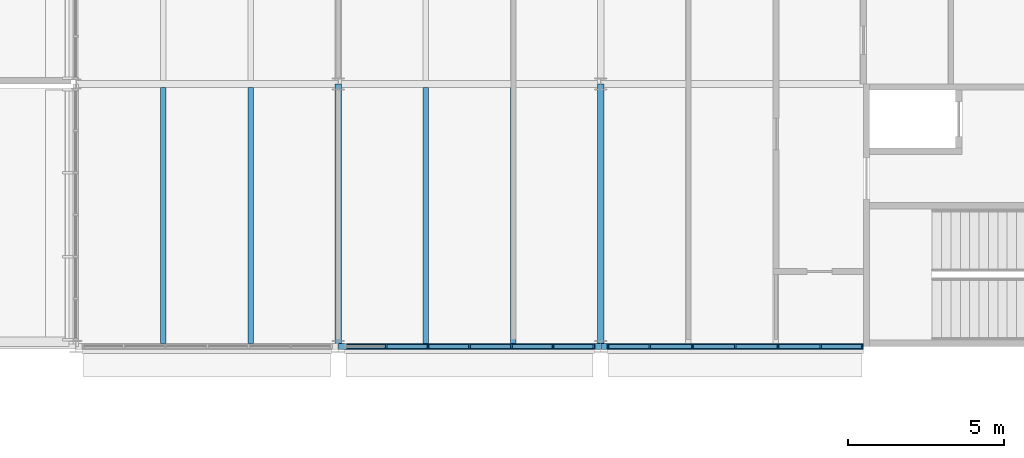
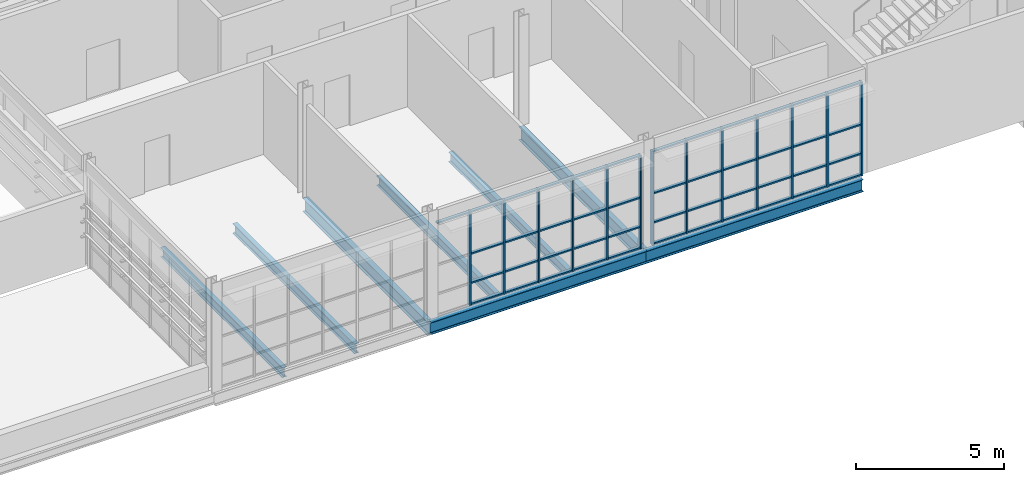
# One storey, part 10 of 29: 58 members, 8 beams, 2 elements without a shape of their own.
"""IFC4 building model written with IfcOpenShell, lengths in metres."""

from ifc_helpers import new_model, si_unit, direction, frame, origin, origin_2d, place, context, subcontext, project, spatial, rectangle, i_section, extrude, material, layer, layer_set, material_profile, profile_set, type_object, element, aggregate, save


model = new_model("IFC4")

# Units and contexts
model_context = context("Model", 3, precision=1e-05, world=origin(), true_north=direction((0.0, 1.0)))
body_context = subcontext(model_context, "Body", "Model", "MODEL_VIEW")
ifc_project = project(units=[si_unit("LENGTHUNIT", "METRE"), si_unit("AREAUNIT", "SQUARE_METRE"), si_unit("VOLUMEUNIT", "CUBIC_METRE"), si_unit("PLANEANGLEUNIT", "RADIAN"), si_unit("MASSUNIT", "GRAM", prefix="KILO")], contexts=[model_context])

# Site, building, storey
site_placement = place(None, origin())
site = spatial("IfcSite", under=ifc_project, at=site_placement, CompositionType="ELEMENT")
building_placement = place(site_placement, origin())
building = spatial("IfcBuilding", under=site, at=building_placement, Name="Ardhachandra Cancer Care Centre", CompositionType="ELEMENT")
storey_placement = place(building_placement, frame((0.0, 0.0, 13.5)))
storey = spatial("IfcBuildingStorey", under=building, at=storey_placement, Name="L03", CompositionType="ELEMENT", Elevation=13.5)

# Beams
ifc_material_1 = material(Name="Steel E350 (IS 2062)", Category="steel")
ifc_material_profile_1 = material_profile(ifc_material_1, i_section(OverallWidth=0.179931640625, OverallDepth=0.39990234375, WebThickness=0.008544921875, FlangeThickness=0.013427734375, FilletRadius=0.02099609375, at=origin_2d()), Name="NPB 400x180x66.30")
ifc_profile_set_1 = profile_set([ifc_material_profile_1], Name="Steel E350 (IS 2062)")
beam_type_1 = type_object("IfcBeamType", Name="Beam NPB 400x180x66.30", PredefinedType="BEAM", material=ifc_profile_set_1)
for number, where, z_axis, x_axis, name in (
    (1, (114.39990234375, 79.89990234375, -0.35009765625), (0.0, 1.0, 0.0), (-1.0, 0.0, 0.0), "Secondary J13-K13@2800"),
    (2, (117.199951171875, 79.89990234375, -0.35009765625), (0.0, 1.0, 0.0), (-1.0, 0.0, 0.0), "Secondary J13-K13@5600"),
    (3, (122.800048828125, 79.89990234375, -0.35009765625), (0.0, 1.0, 0.0), (-1.0, 0.0, 0.0), "Secondary J14-K14@2800"),
    (4, (125.60009765625, 79.89990234375, -0.35009765625), (0.0, 1.0, 0.0), (-1.0, 0.0, 0.0), "Secondary J14-K14@5600"),
):
    element("IfcBeam", number, at=place(storey_placement, frame(where, z_axis=z_axis, x_axis=x_axis)), inside=storey, type_object=beam_type_1, Name=name, PredefinedType="BEAM", context=body_context, shape_type="SweptSolid", body=[
        extrude(i_section(OverallWidth=0.179931640625, OverallDepth=0.39990234375, WebThickness=0.008544921875, FlangeThickness=0.013427734375, FilletRadius=0.02099609375, at=origin_2d()), origin(), (0.0, 0.0, 1.0), 8.195068359375),
    ])
ifc_material_2 = material(Name="Steel E350 (IS 2062)", Category="steel")
ifc_material_profile_2 = material_profile(ifc_material_2, i_section(OverallWidth=0.199951171875, OverallDepth=0.5, WebThickness=0.01025390625, FlangeThickness=0.01611328125, FilletRadius=0.02099609375, at=origin_2d()), Name="NPB 500x200x90.68")
ifc_profile_set_2 = profile_set([ifc_material_profile_2], Name="Steel E350 (IS 2062)")
beam_type_2 = type_object("IfcBeamType", Name="Beam NPB 500x200x90.68", PredefinedType="BEAM", material=ifc_profile_set_2)
beam_1_placement = place(storey_placement, frame((120.0, 79.800048828125, -0.39990234375), z_axis=(1.0, 0.0, 0.0), x_axis=(0.0, 1.0, 0.0)))
element("IfcBeam", 5, at=beam_1_placement, inside=storey, type_object=beam_type_2, Name="Edge girder J14-J15", PredefinedType="BEAM", context=body_context, shape_type="SweptSolid", body=[
    extrude(i_section(OverallWidth=0.199951171875, OverallDepth=0.5, WebThickness=0.01025390625, FlangeThickness=0.01611328125, FilletRadius=0.02099609375, at=origin_2d()), origin(), (0.0, 0.0, 1.0), 8.39990234375),
])
beam_2_placement = place(storey_placement, frame((128.39990234375, 79.800048828125, -0.39990234375), z_axis=(1.0, 0.0, 0.0), x_axis=(0.0, 1.0, 0.0)))
element("IfcBeam", 6, at=beam_2_placement, inside=storey, type_object=beam_type_2, Name="Edge girder J15-J16", PredefinedType="BEAM", context=body_context, shape_type="SweptSolid", body=[
    extrude(i_section(OverallWidth=0.199951171875, OverallDepth=0.5, WebThickness=0.01025390625, FlangeThickness=0.01611328125, FilletRadius=0.02099609375, at=origin_2d()), origin(), (0.0, 0.0, 1.0), 8.400146484375),
])
ifc_material_3 = material(Name="Steel E350 (IS 2062)", Category="steel")
ifc_material_profile_3 = material_profile(ifc_material_3, i_section(OverallWidth=0.2099609375, OverallDepth=0.550048828125, WebThickness=0.010986328125, FlangeThickness=0.01708984375, FilletRadius=0.02392578125, at=origin_2d()), Name="NPB 550x210x105.52")
ifc_profile_set_3 = profile_set([ifc_material_profile_3], Name="Steel E350 (IS 2062)")
beam_type_3 = type_object("IfcBeamType", Name="Beam NPB 550x210x105.52", PredefinedType="BEAM", material=ifc_profile_set_3)
for number, where, z_axis, x_axis, name in (
    (7, (120.0, 79.800048828125, -0.425048828125), (0.0, 1.0, 0.0), (-1.0, 0.0, 0.0), "Girder J14-K14"),
    (8, (128.39990234375, 79.800048828125, -0.425048828125), (0.0, 1.0, 0.0), (-1.0, 0.0, 0.0), "Girder J15-K15"),
):
    element("IfcBeam", number, at=place(storey_placement, frame(where, z_axis=z_axis, x_axis=x_axis)), inside=storey, type_object=beam_type_3, Name=name, PredefinedType="BEAM", context=body_context, shape_type="SweptSolid", body=[
        extrude(i_section(OverallWidth=0.2099609375, OverallDepth=0.550048828125, WebThickness=0.010986328125, FlangeThickness=0.01708984375, FilletRadius=0.02392578125, at=origin_2d()), origin(), (0.0, 0.0, 1.0), 8.39990234375),
    ])

# Curtain wall, members
ifc_material_4 = material(Name="Aluminium extrusion", Category="aluminium")
ifc_layer = layer(ifc_material_4, 0.14990234375)
ifc_layer_set = layer_set([ifc_layer], Name="Aluminium extrusion")
curtain_wall_type = type_object("IfcCurtainWallType", Name="Curtain wall run", PredefinedType="NOTDEFINED", material=ifc_layer_set)
curtain_wall_1_placement = place(storey_placement, origin())
curtain_wall_1 = element("IfcCurtainWall", 9, at=curtain_wall_1_placement, inside=storey, type_object=curtain_wall_type, Name="Curtain wall L03 s/0120000_0079800", PredefinedType="NOTDEFINED")
ifc_material_5 = material(Name="Aluminium extrusion", Category="aluminium")
ifc_material_profile_4 = material_profile(ifc_material_5, rectangle(XDim=0.159912109375, YDim=0.06005859375, at=origin_2d()), Name="Curtain wall mullion 60 x 160")
ifc_profile_set_4 = profile_set([ifc_material_profile_4], Name="Aluminium extrusion")
member_type_1 = type_object("IfcMemberType", Name="Curtain wall mullion 60 x 160", PredefinedType="MULLION", material=ifc_profile_set_4)
member_1_placement = place(storey_placement, frame((121.53173828125, 79.800048828125, 0.0), z_axis=(0.0, 0.0, 1.0), x_axis=(0.0, 1.0, 0.0)))
member_1 = element("IfcMember", 10, at=member_1_placement, type_object=member_type_1, Name="CW mullion 2", PredefinedType="MULLION", context=body_context, shape_type="SweptSolid", body=[
    extrude(rectangle(XDim=0.159912109375, YDim=0.06005859375, at=origin_2d()), origin(), (0.0, 0.0, 1.0), 3.85009765625),
])
member_2_placement = place(storey_placement, frame((122.86572265625, 79.800048828125, 0.0), z_axis=(0.0, 0.0, 1.0), x_axis=(0.0, 1.0, 0.0)))
member_2 = element("IfcMember", 11, at=member_2_placement, type_object=member_type_1, Name="CW mullion 3", PredefinedType="MULLION", context=body_context, shape_type="SweptSolid", body=[
    extrude(rectangle(XDim=0.159912109375, YDim=0.06005859375, at=origin_2d()), origin(), (0.0, 0.0, 1.0), 3.85009765625),
])
member_3_placement = place(storey_placement, frame((124.199951171875, 79.800048828125, 0.0), z_axis=(0.0, 0.0, 1.0), x_axis=(0.0, 1.0, 0.0)))
member_3 = element("IfcMember", 12, at=member_3_placement, type_object=member_type_1, Name="CW mullion 4", PredefinedType="MULLION", context=body_context, shape_type="SweptSolid", body=[
    extrude(rectangle(XDim=0.159912109375, YDim=0.06005859375, at=origin_2d()), origin(), (0.0, 0.0, 1.0), 3.85009765625),
])
member_4_placement = place(storey_placement, frame((125.5341796875, 79.800048828125, 0.0), z_axis=(0.0, 0.0, 1.0), x_axis=(0.0, 1.0, 0.0)))
member_4 = element("IfcMember", 13, at=member_4_placement, type_object=member_type_1, Name="CW mullion 5", PredefinedType="MULLION", context=body_context, shape_type="SweptSolid", body=[
    extrude(rectangle(XDim=0.159912109375, YDim=0.06005859375, at=origin_2d()), origin(), (0.0, 0.0, 1.0), 3.85009765625),
])
member_5_placement = place(storey_placement, frame((126.868408203125, 79.800048828125, 0.0), z_axis=(0.0, 0.0, 1.0), x_axis=(0.0, 1.0, 0.0)))
member_5 = element("IfcMember", 14, at=member_5_placement, type_object=member_type_1, Name="CW mullion 6", PredefinedType="MULLION", context=body_context, shape_type="SweptSolid", body=[
    extrude(rectangle(XDim=0.159912109375, YDim=0.06005859375, at=origin_2d()), origin(), (0.0, 0.0, 1.0), 3.85009765625),
])
member_6_placement = place(storey_placement, frame((128.172607421875, 79.800048828125, 0.0), z_axis=(0.0, 0.0, 1.0), x_axis=(0.0, 1.0, 0.0)))
member_6 = element("IfcMember", 15, at=member_6_placement, type_object=member_type_1, Name="CW mullion 7", PredefinedType="MULLION", context=body_context, shape_type="SweptSolid", body=[
    extrude(rectangle(XDim=0.159912109375, YDim=0.06005859375, at=origin_2d()), origin(), (0.0, 0.0, 1.0), 3.85009765625),
])

curtain_wall_2_placement = place(storey_placement, origin())
curtain_wall_2 = element("IfcCurtainWall", 16, at=curtain_wall_2_placement, inside=storey, type_object=curtain_wall_type, Name="Curtain wall L03 s/0128400_0079800", PredefinedType="NOTDEFINED")
member_7_placement = place(storey_placement, frame((128.62744140625, 79.800048828125, 0.0), z_axis=(0.0, 0.0, 1.0), x_axis=(0.0, 1.0, 0.0)))
member_7 = element("IfcMember", 17, at=member_7_placement, type_object=member_type_1, Name="CW mullion 1", PredefinedType="MULLION", context=body_context, shape_type="SweptSolid", body=[
    extrude(rectangle(XDim=0.159912109375, YDim=0.06005859375, at=origin_2d()), origin(), (0.0, 0.0, 1.0), 3.85009765625),
])
member_8_placement = place(storey_placement, frame((129.964599609375, 79.800048828125, 0.0), z_axis=(0.0, 0.0, 1.0), x_axis=(0.0, 1.0, 0.0)))
member_8 = element("IfcMember", 18, at=member_8_placement, type_object=member_type_1, Name="CW mullion 2", PredefinedType="MULLION", context=body_context, shape_type="SweptSolid", body=[
    extrude(rectangle(XDim=0.159912109375, YDim=0.06005859375, at=origin_2d()), origin(), (0.0, 0.0, 1.0), 3.85009765625),
])
member_9_placement = place(storey_placement, frame((131.331787109375, 79.800048828125, 0.0), z_axis=(0.0, 0.0, 1.0), x_axis=(0.0, 1.0, 0.0)))
member_9 = element("IfcMember", 19, at=member_9_placement, type_object=member_type_1, Name="CW mullion 3", PredefinedType="MULLION", context=body_context, shape_type="SweptSolid", body=[
    extrude(rectangle(XDim=0.159912109375, YDim=0.06005859375, at=origin_2d()), origin(), (0.0, 0.0, 1.0), 3.85009765625),
])
member_10_placement = place(storey_placement, frame((132.69873046875, 79.800048828125, 0.0), z_axis=(0.0, 0.0, 1.0), x_axis=(0.0, 1.0, 0.0)))
member_10 = element("IfcMember", 20, at=member_10_placement, type_object=member_type_1, Name="CW mullion 4", PredefinedType="MULLION", context=body_context, shape_type="SweptSolid", body=[
    extrude(rectangle(XDim=0.159912109375, YDim=0.06005859375, at=origin_2d()), origin(), (0.0, 0.0, 1.0), 3.85009765625),
])
member_11_placement = place(storey_placement, frame((134.06591796875, 79.800048828125, 0.0), z_axis=(0.0, 0.0, 1.0), x_axis=(0.0, 1.0, 0.0)))
member_11 = element("IfcMember", 21, at=member_11_placement, type_object=member_type_1, Name="CW mullion 5", PredefinedType="MULLION", context=body_context, shape_type="SweptSolid", body=[
    extrude(rectangle(XDim=0.159912109375, YDim=0.06005859375, at=origin_2d()), origin(), (0.0, 0.0, 1.0), 3.85009765625),
])
member_12_placement = place(storey_placement, frame((135.432861328125, 79.800048828125, 0.0), z_axis=(0.0, 0.0, 1.0), x_axis=(0.0, 1.0, 0.0)))
member_12 = element("IfcMember", 22, at=member_12_placement, type_object=member_type_1, Name="CW mullion 6", PredefinedType="MULLION", context=body_context, shape_type="SweptSolid", body=[
    extrude(rectangle(XDim=0.159912109375, YDim=0.06005859375, at=origin_2d()), origin(), (0.0, 0.0, 1.0), 3.85009765625),
])
member_13_placement = place(storey_placement, frame((136.77001953125, 79.800048828125, 0.0), z_axis=(0.0, 0.0, 1.0), x_axis=(0.0, 1.0, 0.0)))
member_13 = element("IfcMember", 23, at=member_13_placement, type_object=member_type_1, Name="CW mullion 7", PredefinedType="MULLION", context=body_context, shape_type="SweptSolid", body=[
    extrude(rectangle(XDim=0.159912109375, YDim=0.06005859375, at=origin_2d()), origin(), (0.0, 0.0, 1.0), 3.85009765625),
])

# Member
ifc_material_6 = material(Name="Aluminium extrusion", Category="aluminium")
ifc_material_profile_5 = material_profile(ifc_material_6, rectangle(XDim=0.1201171875, YDim=0.06005859375, at=origin_2d()), Name="Curtain wall transom 60 x 120")
ifc_profile_set_5 = profile_set([ifc_material_profile_5], Name="Aluminium extrusion")
member_type_2 = type_object("IfcMemberType", Name="Curtain wall transom 60 x 120", PredefinedType="USERDEFINED", material=ifc_profile_set_5)
member_14_placement = place(storey_placement, frame((120.257568359375, 79.800048828125, 3.820068359375), z_axis=(1.0, 0.0, 0.0), x_axis=(0.0, 1.0, 0.0)))
member_14 = element("IfcMember", 24, at=member_14_placement, type_object=member_type_2, Name="CW transom 1.4", ObjectType="TRANSOM", PredefinedType="USERDEFINED", context=body_context, shape_type="SweptSolid", body=[
    extrude(rectangle(XDim=0.1201171875, YDim=0.06005859375, at=origin_2d()), origin(), (0.0, 0.0, 1.0), 1.244140625),
])

member_15_placement = place(storey_placement, frame((121.561767578125, 79.800048828125, 0.030029296875), z_axis=(1.0, 0.0, 0.0), x_axis=(0.0, 1.0, 0.0)))
member_15 = element("IfcMember", 25, at=member_15_placement, type_object=member_type_2, Name="CW transom 2.1", ObjectType="TRANSOM", PredefinedType="USERDEFINED", context=body_context, shape_type="SweptSolid", body=[
    extrude(rectangle(XDim=0.1201171875, YDim=0.06005859375, at=origin_2d()), origin(), (0.0, 0.0, 1.0), 1.274169921875),
])

member_16_placement = place(storey_placement, frame((121.561767578125, 79.800048828125, 0.89990234375), z_axis=(1.0, 0.0, 0.0), x_axis=(0.0, 1.0, 0.0)))
member_16 = element("IfcMember", 26, at=member_16_placement, type_object=member_type_2, Name="CW transom 2.2", ObjectType="TRANSOM", PredefinedType="USERDEFINED", context=body_context, shape_type="SweptSolid", body=[
    extrude(rectangle(XDim=0.1201171875, YDim=0.06005859375, at=origin_2d()), origin(), (0.0, 0.0, 1.0), 1.274169921875),
])

member_17_placement = place(storey_placement, frame((121.561767578125, 79.800048828125, 2.10009765625), z_axis=(1.0, 0.0, 0.0), x_axis=(0.0, 1.0, 0.0)))
member_17 = element("IfcMember", 27, at=member_17_placement, type_object=member_type_2, Name="CW transom 2.3", ObjectType="TRANSOM", PredefinedType="USERDEFINED", context=body_context, shape_type="SweptSolid", body=[
    extrude(rectangle(XDim=0.1201171875, YDim=0.06005859375, at=origin_2d()), origin(), (0.0, 0.0, 1.0), 1.274169921875),
])

member_18_placement = place(storey_placement, frame((121.561767578125, 79.800048828125, 3.820068359375), z_axis=(1.0, 0.0, 0.0), x_axis=(0.0, 1.0, 0.0)))
member_18 = element("IfcMember", 28, at=member_18_placement, type_object=member_type_2, Name="CW transom 2.4", ObjectType="TRANSOM", PredefinedType="USERDEFINED", context=body_context, shape_type="SweptSolid", body=[
    extrude(rectangle(XDim=0.1201171875, YDim=0.06005859375, at=origin_2d()), origin(), (0.0, 0.0, 1.0), 1.274169921875),
])

member_19_placement = place(storey_placement, frame((122.895751953125, 79.800048828125, 0.030029296875), z_axis=(1.0, 0.0, 0.0), x_axis=(0.0, 1.0, 0.0)))
member_19 = element("IfcMember", 29, at=member_19_placement, type_object=member_type_2, Name="CW transom 3.1", ObjectType="TRANSOM", PredefinedType="USERDEFINED", context=body_context, shape_type="SweptSolid", body=[
    extrude(rectangle(XDim=0.1201171875, YDim=0.06005859375, at=origin_2d()), origin(), (0.0, 0.0, 1.0), 1.274169921875),
])

member_20_placement = place(storey_placement, frame((122.895751953125, 79.800048828125, 0.89990234375), z_axis=(1.0, 0.0, 0.0), x_axis=(0.0, 1.0, 0.0)))
member_20 = element("IfcMember", 30, at=member_20_placement, type_object=member_type_2, Name="CW transom 3.2", ObjectType="TRANSOM", PredefinedType="USERDEFINED", context=body_context, shape_type="SweptSolid", body=[
    extrude(rectangle(XDim=0.1201171875, YDim=0.06005859375, at=origin_2d()), origin(), (0.0, 0.0, 1.0), 1.274169921875),
])

member_21_placement = place(storey_placement, frame((122.895751953125, 79.800048828125, 2.10009765625), z_axis=(1.0, 0.0, 0.0), x_axis=(0.0, 1.0, 0.0)))
member_21 = element("IfcMember", 31, at=member_21_placement, type_object=member_type_2, Name="CW transom 3.3", ObjectType="TRANSOM", PredefinedType="USERDEFINED", context=body_context, shape_type="SweptSolid", body=[
    extrude(rectangle(XDim=0.1201171875, YDim=0.06005859375, at=origin_2d()), origin(), (0.0, 0.0, 1.0), 1.274169921875),
])

member_22_placement = place(storey_placement, frame((122.895751953125, 79.800048828125, 3.820068359375), z_axis=(1.0, 0.0, 0.0), x_axis=(0.0, 1.0, 0.0)))
member_22 = element("IfcMember", 32, at=member_22_placement, type_object=member_type_2, Name="CW transom 3.4", ObjectType="TRANSOM", PredefinedType="USERDEFINED", context=body_context, shape_type="SweptSolid", body=[
    extrude(rectangle(XDim=0.1201171875, YDim=0.06005859375, at=origin_2d()), origin(), (0.0, 0.0, 1.0), 1.274169921875),
])

member_23_placement = place(storey_placement, frame((124.22998046875, 79.800048828125, 0.030029296875), z_axis=(1.0, 0.0, 0.0), x_axis=(0.0, 1.0, 0.0)))
member_23 = element("IfcMember", 33, at=member_23_placement, type_object=member_type_2, Name="CW transom 4.1", ObjectType="TRANSOM", PredefinedType="USERDEFINED", context=body_context, shape_type="SweptSolid", body=[
    extrude(rectangle(XDim=0.1201171875, YDim=0.06005859375, at=origin_2d()), origin(), (0.0, 0.0, 1.0), 1.274169921875),
])

member_24_placement = place(storey_placement, frame((124.22998046875, 79.800048828125, 0.89990234375), z_axis=(1.0, 0.0, 0.0), x_axis=(0.0, 1.0, 0.0)))
member_24 = element("IfcMember", 34, at=member_24_placement, type_object=member_type_2, Name="CW transom 4.2", ObjectType="TRANSOM", PredefinedType="USERDEFINED", context=body_context, shape_type="SweptSolid", body=[
    extrude(rectangle(XDim=0.1201171875, YDim=0.06005859375, at=origin_2d()), origin(), (0.0, 0.0, 1.0), 1.274169921875),
])

member_25_placement = place(storey_placement, frame((124.22998046875, 79.800048828125, 2.10009765625), z_axis=(1.0, 0.0, 0.0), x_axis=(0.0, 1.0, 0.0)))
member_25 = element("IfcMember", 35, at=member_25_placement, type_object=member_type_2, Name="CW transom 4.3", ObjectType="TRANSOM", PredefinedType="USERDEFINED", context=body_context, shape_type="SweptSolid", body=[
    extrude(rectangle(XDim=0.1201171875, YDim=0.06005859375, at=origin_2d()), origin(), (0.0, 0.0, 1.0), 1.274169921875),
])

member_26_placement = place(storey_placement, frame((124.22998046875, 79.800048828125, 3.820068359375), z_axis=(1.0, 0.0, 0.0), x_axis=(0.0, 1.0, 0.0)))
member_26 = element("IfcMember", 36, at=member_26_placement, type_object=member_type_2, Name="CW transom 4.4", ObjectType="TRANSOM", PredefinedType="USERDEFINED", context=body_context, shape_type="SweptSolid", body=[
    extrude(rectangle(XDim=0.1201171875, YDim=0.06005859375, at=origin_2d()), origin(), (0.0, 0.0, 1.0), 1.274169921875),
])

member_27_placement = place(storey_placement, frame((125.564208984375, 79.800048828125, 0.030029296875), z_axis=(1.0, 0.0, 0.0), x_axis=(0.0, 1.0, 0.0)))
member_27 = element("IfcMember", 37, at=member_27_placement, type_object=member_type_2, Name="CW transom 5.1", ObjectType="TRANSOM", PredefinedType="USERDEFINED", context=body_context, shape_type="SweptSolid", body=[
    extrude(rectangle(XDim=0.1201171875, YDim=0.06005859375, at=origin_2d()), origin(), (0.0, 0.0, 1.0), 1.274169921875),
])

member_28_placement = place(storey_placement, frame((125.564208984375, 79.800048828125, 0.89990234375), z_axis=(1.0, 0.0, 0.0), x_axis=(0.0, 1.0, 0.0)))
member_28 = element("IfcMember", 38, at=member_28_placement, type_object=member_type_2, Name="CW transom 5.2", ObjectType="TRANSOM", PredefinedType="USERDEFINED", context=body_context, shape_type="SweptSolid", body=[
    extrude(rectangle(XDim=0.1201171875, YDim=0.06005859375, at=origin_2d()), origin(), (0.0, 0.0, 1.0), 1.274169921875),
])

member_29_placement = place(storey_placement, frame((125.564208984375, 79.800048828125, 2.10009765625), z_axis=(1.0, 0.0, 0.0), x_axis=(0.0, 1.0, 0.0)))
member_29 = element("IfcMember", 39, at=member_29_placement, type_object=member_type_2, Name="CW transom 5.3", ObjectType="TRANSOM", PredefinedType="USERDEFINED", context=body_context, shape_type="SweptSolid", body=[
    extrude(rectangle(XDim=0.1201171875, YDim=0.06005859375, at=origin_2d()), origin(), (0.0, 0.0, 1.0), 1.274169921875),
])

member_30_placement = place(storey_placement, frame((125.564208984375, 79.800048828125, 3.820068359375), z_axis=(1.0, 0.0, 0.0), x_axis=(0.0, 1.0, 0.0)))
member_30 = element("IfcMember", 40, at=member_30_placement, type_object=member_type_2, Name="CW transom 5.4", ObjectType="TRANSOM", PredefinedType="USERDEFINED", context=body_context, shape_type="SweptSolid", body=[
    extrude(rectangle(XDim=0.1201171875, YDim=0.06005859375, at=origin_2d()), origin(), (0.0, 0.0, 1.0), 1.274169921875),
])

member_31_placement = place(storey_placement, frame((126.8984375, 79.800048828125, 0.030029296875), z_axis=(1.0, 0.0, 0.0), x_axis=(0.0, 1.0, 0.0)))
member_31 = element("IfcMember", 41, at=member_31_placement, type_object=member_type_2, Name="CW transom 6.1", ObjectType="TRANSOM", PredefinedType="USERDEFINED", context=body_context, shape_type="SweptSolid", body=[
    extrude(rectangle(XDim=0.1201171875, YDim=0.06005859375, at=origin_2d()), origin(), (0.0, 0.0, 1.0), 1.244140625),
])

member_32_placement = place(storey_placement, frame((126.8984375, 79.800048828125, 0.89990234375), z_axis=(1.0, 0.0, 0.0), x_axis=(0.0, 1.0, 0.0)))
member_32 = element("IfcMember", 42, at=member_32_placement, type_object=member_type_2, Name="CW transom 6.2", ObjectType="TRANSOM", PredefinedType="USERDEFINED", context=body_context, shape_type="SweptSolid", body=[
    extrude(rectangle(XDim=0.1201171875, YDim=0.06005859375, at=origin_2d()), origin(), (0.0, 0.0, 1.0), 1.244140625),
])

member_33_placement = place(storey_placement, frame((126.8984375, 79.800048828125, 2.10009765625), z_axis=(1.0, 0.0, 0.0), x_axis=(0.0, 1.0, 0.0)))
member_33 = element("IfcMember", 43, at=member_33_placement, type_object=member_type_2, Name="CW transom 6.3", ObjectType="TRANSOM", PredefinedType="USERDEFINED", context=body_context, shape_type="SweptSolid", body=[
    extrude(rectangle(XDim=0.1201171875, YDim=0.06005859375, at=origin_2d()), origin(), (0.0, 0.0, 1.0), 1.244140625),
])

member_34_placement = place(storey_placement, frame((126.8984375, 79.800048828125, 3.820068359375), z_axis=(1.0, 0.0, 0.0), x_axis=(0.0, 1.0, 0.0)))
member_34 = element("IfcMember", 44, at=member_34_placement, type_object=member_type_2, Name="CW transom 6.4", ObjectType="TRANSOM", PredefinedType="USERDEFINED", context=body_context, shape_type="SweptSolid", body=[
    extrude(rectangle(XDim=0.1201171875, YDim=0.06005859375, at=origin_2d()), origin(), (0.0, 0.0, 1.0), 1.244140625),
])

aggregate(curtain_wall_1, [member_1, member_2, member_3, member_4, member_5, member_6, member_14, member_15, member_16, member_17, member_18, member_19, member_20, member_21, member_22, member_23, member_24, member_25, member_26, member_27, member_28, member_29, member_30, member_31, member_32, member_33, member_34])

member_35_placement = place(storey_placement, frame((128.657470703125, 79.800048828125, 0.030029296875), z_axis=(1.0, 0.0, 0.0), x_axis=(0.0, 1.0, 0.0)))
member_35 = element("IfcMember", 45, at=member_35_placement, type_object=member_type_2, Name="CW transom 1.1", ObjectType="TRANSOM", PredefinedType="USERDEFINED", context=body_context, shape_type="SweptSolid", body=[
    extrude(rectangle(XDim=0.1201171875, YDim=0.06005859375, at=origin_2d()), origin(), (0.0, 0.0, 1.0), 1.277099609375),
])

member_36_placement = place(storey_placement, frame((128.657470703125, 79.800048828125, 0.89990234375), z_axis=(1.0, 0.0, 0.0), x_axis=(0.0, 1.0, 0.0)))
member_36 = element("IfcMember", 46, at=member_36_placement, type_object=member_type_2, Name="CW transom 1.2", ObjectType="TRANSOM", PredefinedType="USERDEFINED", context=body_context, shape_type="SweptSolid", body=[
    extrude(rectangle(XDim=0.1201171875, YDim=0.06005859375, at=origin_2d()), origin(), (0.0, 0.0, 1.0), 1.277099609375),
])

member_37_placement = place(storey_placement, frame((128.657470703125, 79.800048828125, 2.10009765625), z_axis=(1.0, 0.0, 0.0), x_axis=(0.0, 1.0, 0.0)))
member_37 = element("IfcMember", 47, at=member_37_placement, type_object=member_type_2, Name="CW transom 1.3", ObjectType="TRANSOM", PredefinedType="USERDEFINED", context=body_context, shape_type="SweptSolid", body=[
    extrude(rectangle(XDim=0.1201171875, YDim=0.06005859375, at=origin_2d()), origin(), (0.0, 0.0, 1.0), 1.277099609375),
])

member_38_placement = place(storey_placement, frame((128.657470703125, 79.800048828125, 3.820068359375), z_axis=(1.0, 0.0, 0.0), x_axis=(0.0, 1.0, 0.0)))
member_38 = element("IfcMember", 48, at=member_38_placement, type_object=member_type_2, Name="CW transom 1.4", ObjectType="TRANSOM", PredefinedType="USERDEFINED", context=body_context, shape_type="SweptSolid", body=[
    extrude(rectangle(XDim=0.1201171875, YDim=0.06005859375, at=origin_2d()), origin(), (0.0, 0.0, 1.0), 1.277099609375),
])

member_39_placement = place(storey_placement, frame((129.99462890625, 79.800048828125, 0.030029296875), z_axis=(1.0, 0.0, 0.0), x_axis=(0.0, 1.0, 0.0)))
member_39 = element("IfcMember", 49, at=member_39_placement, type_object=member_type_2, Name="CW transom 2.1", ObjectType="TRANSOM", PredefinedType="USERDEFINED", context=body_context, shape_type="SweptSolid", body=[
    extrude(rectangle(XDim=0.1201171875, YDim=0.06005859375, at=origin_2d()), origin(), (0.0, 0.0, 1.0), 1.30712890625),
])

member_40_placement = place(storey_placement, frame((129.99462890625, 79.800048828125, 0.89990234375), z_axis=(1.0, 0.0, 0.0), x_axis=(0.0, 1.0, 0.0)))
member_40 = element("IfcMember", 50, at=member_40_placement, type_object=member_type_2, Name="CW transom 2.2", ObjectType="TRANSOM", PredefinedType="USERDEFINED", context=body_context, shape_type="SweptSolid", body=[
    extrude(rectangle(XDim=0.1201171875, YDim=0.06005859375, at=origin_2d()), origin(), (0.0, 0.0, 1.0), 1.30712890625),
])

member_41_placement = place(storey_placement, frame((129.99462890625, 79.800048828125, 2.10009765625), z_axis=(1.0, 0.0, 0.0), x_axis=(0.0, 1.0, 0.0)))
member_41 = element("IfcMember", 51, at=member_41_placement, type_object=member_type_2, Name="CW transom 2.3", ObjectType="TRANSOM", PredefinedType="USERDEFINED", context=body_context, shape_type="SweptSolid", body=[
    extrude(rectangle(XDim=0.1201171875, YDim=0.06005859375, at=origin_2d()), origin(), (0.0, 0.0, 1.0), 1.30712890625),
])

member_42_placement = place(storey_placement, frame((129.99462890625, 79.800048828125, 3.820068359375), z_axis=(1.0, 0.0, 0.0), x_axis=(0.0, 1.0, 0.0)))
member_42 = element("IfcMember", 52, at=member_42_placement, type_object=member_type_2, Name="CW transom 2.4", ObjectType="TRANSOM", PredefinedType="USERDEFINED", context=body_context, shape_type="SweptSolid", body=[
    extrude(rectangle(XDim=0.1201171875, YDim=0.06005859375, at=origin_2d()), origin(), (0.0, 0.0, 1.0), 1.30712890625),
])

member_43_placement = place(storey_placement, frame((131.361572265625, 79.800048828125, 0.030029296875), z_axis=(1.0, 0.0, 0.0), x_axis=(0.0, 1.0, 0.0)))
member_43 = element("IfcMember", 53, at=member_43_placement, type_object=member_type_2, Name="CW transom 3.1", ObjectType="TRANSOM", PredefinedType="USERDEFINED", context=body_context, shape_type="SweptSolid", body=[
    extrude(rectangle(XDim=0.1201171875, YDim=0.06005859375, at=origin_2d()), origin(), (0.0, 0.0, 1.0), 1.30712890625),
])

member_44_placement = place(storey_placement, frame((131.361572265625, 79.800048828125, 0.89990234375), z_axis=(1.0, 0.0, 0.0), x_axis=(0.0, 1.0, 0.0)))
member_44 = element("IfcMember", 54, at=member_44_placement, type_object=member_type_2, Name="CW transom 3.2", ObjectType="TRANSOM", PredefinedType="USERDEFINED", context=body_context, shape_type="SweptSolid", body=[
    extrude(rectangle(XDim=0.1201171875, YDim=0.06005859375, at=origin_2d()), origin(), (0.0, 0.0, 1.0), 1.30712890625),
])

member_45_placement = place(storey_placement, frame((131.361572265625, 79.800048828125, 2.10009765625), z_axis=(1.0, 0.0, 0.0), x_axis=(0.0, 1.0, 0.0)))
member_45 = element("IfcMember", 55, at=member_45_placement, type_object=member_type_2, Name="CW transom 3.3", ObjectType="TRANSOM", PredefinedType="USERDEFINED", context=body_context, shape_type="SweptSolid", body=[
    extrude(rectangle(XDim=0.1201171875, YDim=0.06005859375, at=origin_2d()), origin(), (0.0, 0.0, 1.0), 1.30712890625),
])

member_46_placement = place(storey_placement, frame((131.361572265625, 79.800048828125, 3.820068359375), z_axis=(1.0, 0.0, 0.0), x_axis=(0.0, 1.0, 0.0)))
member_46 = element("IfcMember", 56, at=member_46_placement, type_object=member_type_2, Name="CW transom 3.4", ObjectType="TRANSOM", PredefinedType="USERDEFINED", context=body_context, shape_type="SweptSolid", body=[
    extrude(rectangle(XDim=0.1201171875, YDim=0.06005859375, at=origin_2d()), origin(), (0.0, 0.0, 1.0), 1.30712890625),
])

member_47_placement = place(storey_placement, frame((132.728759765625, 79.800048828125, 0.030029296875), z_axis=(1.0, 0.0, 0.0), x_axis=(0.0, 1.0, 0.0)))
member_47 = element("IfcMember", 57, at=member_47_placement, type_object=member_type_2, Name="CW transom 4.1", ObjectType="TRANSOM", PredefinedType="USERDEFINED", context=body_context, shape_type="SweptSolid", body=[
    extrude(rectangle(XDim=0.1201171875, YDim=0.06005859375, at=origin_2d()), origin(), (0.0, 0.0, 1.0), 1.30712890625),
])

member_48_placement = place(storey_placement, frame((132.728759765625, 79.800048828125, 0.89990234375), z_axis=(1.0, 0.0, 0.0), x_axis=(0.0, 1.0, 0.0)))
member_48 = element("IfcMember", 58, at=member_48_placement, type_object=member_type_2, Name="CW transom 4.2", ObjectType="TRANSOM", PredefinedType="USERDEFINED", context=body_context, shape_type="SweptSolid", body=[
    extrude(rectangle(XDim=0.1201171875, YDim=0.06005859375, at=origin_2d()), origin(), (0.0, 0.0, 1.0), 1.30712890625),
])

member_49_placement = place(storey_placement, frame((132.728759765625, 79.800048828125, 2.10009765625), z_axis=(1.0, 0.0, 0.0), x_axis=(0.0, 1.0, 0.0)))
member_49 = element("IfcMember", 59, at=member_49_placement, type_object=member_type_2, Name="CW transom 4.3", ObjectType="TRANSOM", PredefinedType="USERDEFINED", context=body_context, shape_type="SweptSolid", body=[
    extrude(rectangle(XDim=0.1201171875, YDim=0.06005859375, at=origin_2d()), origin(), (0.0, 0.0, 1.0), 1.30712890625),
])

member_50_placement = place(storey_placement, frame((132.728759765625, 79.800048828125, 3.820068359375), z_axis=(1.0, 0.0, 0.0), x_axis=(0.0, 1.0, 0.0)))
member_50 = element("IfcMember", 60, at=member_50_placement, type_object=member_type_2, Name="CW transom 4.4", ObjectType="TRANSOM", PredefinedType="USERDEFINED", context=body_context, shape_type="SweptSolid", body=[
    extrude(rectangle(XDim=0.1201171875, YDim=0.06005859375, at=origin_2d()), origin(), (0.0, 0.0, 1.0), 1.30712890625),
])

member_51_placement = place(storey_placement, frame((134.095947265625, 79.800048828125, 0.030029296875), z_axis=(1.0, 0.0, 0.0), x_axis=(0.0, 1.0, 0.0)))
member_51 = element("IfcMember", 61, at=member_51_placement, type_object=member_type_2, Name="CW transom 5.1", ObjectType="TRANSOM", PredefinedType="USERDEFINED", context=body_context, shape_type="SweptSolid", body=[
    extrude(rectangle(XDim=0.1201171875, YDim=0.06005859375, at=origin_2d()), origin(), (0.0, 0.0, 1.0), 1.306884765625),
])

member_52_placement = place(storey_placement, frame((134.095947265625, 79.800048828125, 0.89990234375), z_axis=(1.0, 0.0, 0.0), x_axis=(0.0, 1.0, 0.0)))
member_52 = element("IfcMember", 62, at=member_52_placement, type_object=member_type_2, Name="CW transom 5.2", ObjectType="TRANSOM", PredefinedType="USERDEFINED", context=body_context, shape_type="SweptSolid", body=[
    extrude(rectangle(XDim=0.1201171875, YDim=0.06005859375, at=origin_2d()), origin(), (0.0, 0.0, 1.0), 1.306884765625),
])

member_53_placement = place(storey_placement, frame((134.095947265625, 79.800048828125, 2.10009765625), z_axis=(1.0, 0.0, 0.0), x_axis=(0.0, 1.0, 0.0)))
member_53 = element("IfcMember", 63, at=member_53_placement, type_object=member_type_2, Name="CW transom 5.3", ObjectType="TRANSOM", PredefinedType="USERDEFINED", context=body_context, shape_type="SweptSolid", body=[
    extrude(rectangle(XDim=0.1201171875, YDim=0.06005859375, at=origin_2d()), origin(), (0.0, 0.0, 1.0), 1.306884765625),
])

member_54_placement = place(storey_placement, frame((134.095947265625, 79.800048828125, 3.820068359375), z_axis=(1.0, 0.0, 0.0), x_axis=(0.0, 1.0, 0.0)))
member_54 = element("IfcMember", 64, at=member_54_placement, type_object=member_type_2, Name="CW transom 5.4", ObjectType="TRANSOM", PredefinedType="USERDEFINED", context=body_context, shape_type="SweptSolid", body=[
    extrude(rectangle(XDim=0.1201171875, YDim=0.06005859375, at=origin_2d()), origin(), (0.0, 0.0, 1.0), 1.306884765625),
])

member_55_placement = place(storey_placement, frame((135.462890625, 79.800048828125, 0.030029296875), z_axis=(1.0, 0.0, 0.0), x_axis=(0.0, 1.0, 0.0)))
member_55 = element("IfcMember", 65, at=member_55_placement, type_object=member_type_2, Name="CW transom 6.1", ObjectType="TRANSOM", PredefinedType="USERDEFINED", context=body_context, shape_type="SweptSolid", body=[
    extrude(rectangle(XDim=0.1201171875, YDim=0.06005859375, at=origin_2d()), origin(), (0.0, 0.0, 1.0), 1.277099609375),
])

member_56_placement = place(storey_placement, frame((135.462890625, 79.800048828125, 0.89990234375), z_axis=(1.0, 0.0, 0.0), x_axis=(0.0, 1.0, 0.0)))
member_56 = element("IfcMember", 66, at=member_56_placement, type_object=member_type_2, Name="CW transom 6.2", ObjectType="TRANSOM", PredefinedType="USERDEFINED", context=body_context, shape_type="SweptSolid", body=[
    extrude(rectangle(XDim=0.1201171875, YDim=0.06005859375, at=origin_2d()), origin(), (0.0, 0.0, 1.0), 1.277099609375),
])

member_57_placement = place(storey_placement, frame((135.462890625, 79.800048828125, 2.10009765625), z_axis=(1.0, 0.0, 0.0), x_axis=(0.0, 1.0, 0.0)))
member_57 = element("IfcMember", 67, at=member_57_placement, type_object=member_type_2, Name="CW transom 6.3", ObjectType="TRANSOM", PredefinedType="USERDEFINED", context=body_context, shape_type="SweptSolid", body=[
    extrude(rectangle(XDim=0.1201171875, YDim=0.06005859375, at=origin_2d()), origin(), (0.0, 0.0, 1.0), 1.277099609375),
])

member_58_placement = place(storey_placement, frame((135.462890625, 79.800048828125, 3.820068359375), z_axis=(1.0, 0.0, 0.0), x_axis=(0.0, 1.0, 0.0)))
member_58 = element("IfcMember", 68, at=member_58_placement, type_object=member_type_2, Name="CW transom 6.4", ObjectType="TRANSOM", PredefinedType="USERDEFINED", context=body_context, shape_type="SweptSolid", body=[
    extrude(rectangle(XDim=0.1201171875, YDim=0.06005859375, at=origin_2d()), origin(), (0.0, 0.0, 1.0), 1.277099609375),
])

aggregate(curtain_wall_2, [member_7, member_8, member_9, member_10, member_11, member_12, member_13, member_35, member_36, member_37, member_38, member_39, member_40, member_41, member_42, member_43, member_44, member_45, member_46, member_47, member_48, member_49, member_50, member_51, member_52, member_53, member_54, member_55, member_56, member_57, member_58])

save(model, "model.ifc")
